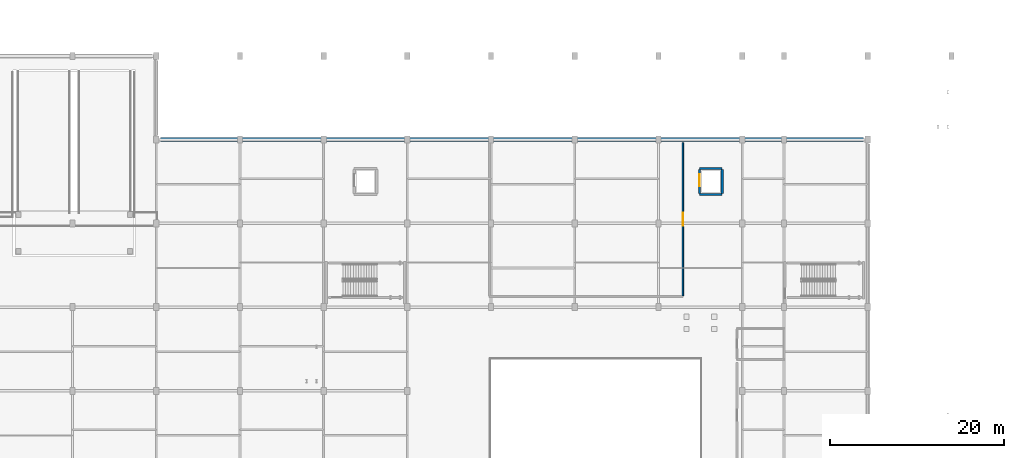
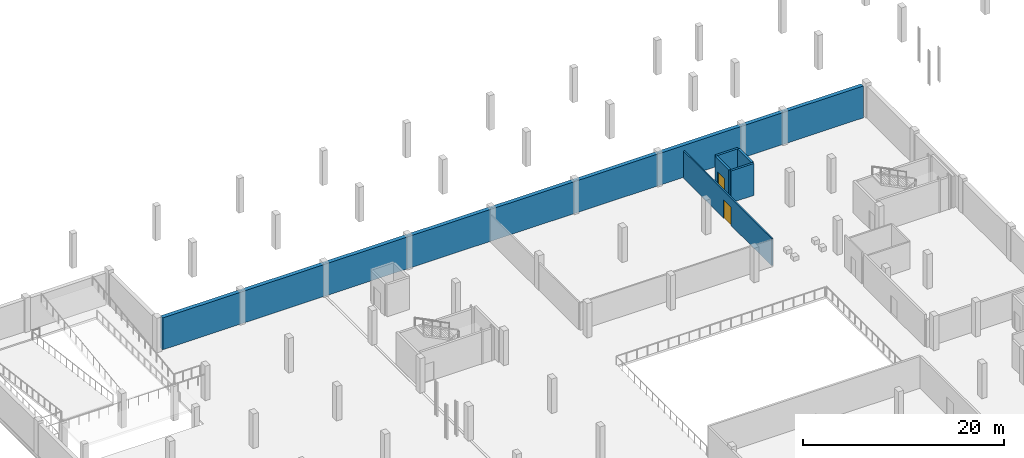
# One storey, part 35 of 47: 6 walls, 2 doors, 2 openings.
"""IFC4 building model written with IfcOpenShell, lengths in metres."""

from ifc_helpers import new_model, si_unit, direction, frame, frame_2d, origin, place, context, subcontext, project, spatial, rectangle, extrude, material, layer, layer_set, type_object, element, fill, save


model = new_model("IFC4")

# Units and contexts
model_context = context("Model", 3, precision=1e-05, world=origin(), true_north=direction((0.0, 1.0)))
body_context = subcontext(model_context, "Body", "Model", "MODEL_VIEW")
ifc_project = project(units=[si_unit("LENGTHUNIT", "METRE"), si_unit("AREAUNIT", "SQUARE_METRE"), si_unit("VOLUMEUNIT", "CUBIC_METRE"), si_unit("PLANEANGLEUNIT", "RADIAN"), si_unit("MASSUNIT", "GRAM", prefix="KILO")], contexts=[model_context])

# Site, building, storey
site_placement = place(None, origin())
site = spatial("IfcSite", under=ifc_project, at=site_placement, CompositionType="ELEMENT")
building_placement = place(site_placement, origin())
building = spatial("IfcBuilding", under=site, at=building_placement, Name="Zevrakil Square Congress Hotel", CompositionType="ELEMENT")
storey_placement = place(building_placement, frame((0.0, 0.0, -4.199951171875)))
storey = spatial("IfcBuildingStorey", under=building, at=storey_placement, Name="B1", CompositionType="ELEMENT", Elevation=-4.199951171875)

# Wall, opening, door
ifc_material_1 = material(Name="Gypsum Acoustic Stud Partition")
ifc_layer_1 = layer(ifc_material_1, 0.159912109375)
ifc_layer_set_1 = layer_set([ifc_layer_1], Name="Gypsum Acoustic Stud Partition")
wall_type_1 = type_object("IfcWallType", Name="WAL-CORR-160", PredefinedType="PARTITIONING", material=ifc_layer_set_1)
wall_1_placement = place(storey_placement, frame((96.39990234375, 85.284912109375, 0.0), z_axis=(0.0, 0.0, 1.0), x_axis=(0.0, 1.0, 0.0)))
wall_1 = element("IfcWall", 1, at=wall_1_placement, inside=storey, type_object=wall_type_1, Name="B1 interior partition PW-B1-0114", PredefinedType="PARTITIONING", context=body_context, shape_type="SweptSolid", body=[
    extrude(rectangle(XDim=17.580078125, YDim=0.159912109375, at=frame_2d((8.7900390625, 0.0))), origin(), (0.0, 0.0, 1.0), 3.324951171875),
])
opening_1_placement = place(wall_1_placement, frame((8.0400390625, 0.0, 0.0)))
opening_1 = element("IfcOpeningElement", 2, at=opening_1_placement, cuts=wall_1, Name="Opening ID-03", PredefinedType="OPENING", context=body_context, shape_type="SweptSolid", body=[
    extrude(rectangle(XDim=1.5, YDim=2.25, at=frame_2d((0.75, 1.125))), frame((0.0, 0.08984375, 0.0), z_axis=(0.0, -1.0, 0.0), x_axis=(1.0, 0.0, 0.0)), (0.0, 0.0, 1.0), 0.179931640625),
])
ifc_material_2 = material(Name="Acoustic Double Meeting Door")
door_type_1 = type_object("IfcDoorType", Name="DOR-MTG-150", OperationType="NOTDEFINED", PredefinedType="DOOR", material=ifc_material_2)
door_1_placement = place(opening_1_placement, origin())
door_1 = element("IfcDoor", 3, at=door_1_placement, inside=storey, type_object=door_type_1, Name="B1 interior door 40", OperationType="DOUBLE_DOOR_SINGLE_SWING", OverallHeight=2.25, OverallWidth=1.5, PredefinedType="DOOR", context=body_context, shape_type="SweptSolid", body=[
    extrude(rectangle(XDim=1.5, YDim=2.25, at=frame_2d((0.75, 1.125))), frame((0.0, 0.02490234375, 0.0), z_axis=(0.0, -1.0, 0.0), x_axis=(1.0, 0.0, 0.0)), (0.0, 0.0, 1.0), 0.050048828125),
])
fill(opening_1, door_1)

# Walls
ifc_material_3 = material(Name="Concrete C40/50", Category="concrete")
ifc_layer_2 = layer(ifc_material_3, 0.449951171875)
ifc_layer_set_2 = layer_set([ifc_layer_2], Name="Concrete C40/50")
wall_type_2 = type_object("IfcWallType", Name="WAL-RET-450", PredefinedType="SOLIDWALL", material=ifc_layer_set_2)
wall_2_placement = place(storey_placement, frame((117.10009765625, 103.199951171875, 0.0), z_axis=(0.0, 0.0, 1.0), x_axis=(-1.0, 0.0, 0.0)))
element("IfcWall", 4, at=wall_2_placement, inside=storey, type_object=wall_type_2, Name="B1 perimeter concrete retaining wall 5", PredefinedType="SOLIDWALL", context=body_context, shape_type="SweptSolid", body=[
    extrude(rectangle(XDim=80.60009765625, YDim=0.449951171875, at=frame_2d((40.300048828125, 0.0))), origin(), (0.0, 0.0, 1.0), 3.8798828125),
])
ifc_material_4 = material(Name="Concrete C40/50", Category="concrete")
ifc_layer_3 = layer(ifc_material_4, 0.260009765625)
ifc_layer_set_3 = layer_set([ifc_layer_3], Name="Concrete C40/50")
wall_type_3 = type_object("IfcWallType", Name="WAL-SHAFT-260", PredefinedType="SHEAR", material=ifc_layer_set_3)
for number, where, z_axis, x_axis, name in (
    (5, (98.300048828125, 96.89990234375, 0.0), (0.0, 0.0, 1.0), (1.0, 0.0, 0.0), "B1 SL3 lift shaft wall"),
    (6, (98.300048828125, 99.89990234375, 0.0), (0.0, 0.0, 1.0), (1.0, 0.0, 0.0), "B1 SL3 lift shaft wall"),
):
    element("IfcWall", number, at=place(storey_placement, frame(where, z_axis=z_axis, x_axis=x_axis)), inside=storey, type_object=wall_type_3, Name=name, PredefinedType="SHEAR", context=body_context, shape_type="SweptSolid", body=[
        extrude(rectangle(XDim=2.599853515625, YDim=0.260009765625, at=frame_2d((1.2998046875, 0.0))), origin(), (0.0, 0.0, 1.0), 3.8798828125),
    ])

# Wall, opening, door
wall_3_placement = place(storey_placement, frame((98.300048828125, 97.0400390625, 0.0), z_axis=(0.0, 0.0, 1.0), x_axis=(0.0, 1.0, 0.0)))
wall_3 = element("IfcWall", 7, at=wall_3_placement, inside=storey, type_object=wall_type_3, Name="B1 SL3 lift shaft wall", PredefinedType="SHEAR", context=body_context, shape_type="SweptSolid", body=[
    extrude(rectangle(XDim=2.719970703125, YDim=0.260009765625, at=frame_2d((1.35986328125, 0.0))), origin(), (0.0, 0.0, 1.0), 3.8798828125),
])
opening_2_placement = place(wall_3_placement, frame((0.800048828125, 0.0, 0.0)))
opening_2 = element("IfcOpeningElement", 8, at=opening_2_placement, cuts=wall_3, Name="Opening LD-SL3", PredefinedType="OPENING", context=body_context, shape_type="SweptSolid", body=[
    extrude(rectangle(XDim=1.39990234375, YDim=2.300048828125, at=frame_2d((0.699951171875, 1.14990234375))), frame((0.0, 0.14013671875, 0.0), z_axis=(0.0, -1.0, 0.0), x_axis=(1.0, 0.0, 0.0)), (0.0, 0.0, 1.0), 0.280029296875),
])
ifc_material_5 = material(Name="Goods Service Sliding Landing Door")
door_type_2 = type_object("IfcDoorType", Name="DOR-LIFT-LD140", OperationType="NOTDEFINED", PredefinedType="DOOR", material=ifc_material_5)
door_2_placement = place(opening_2_placement, origin())
door_2 = element("IfcDoor", 9, at=door_2_placement, inside=storey, type_object=door_type_2, Name="B1 SL3 sliding lift landing door", OperationType="SLIDING_TO_LEFT", OverallHeight=2.300048828125, OverallWidth=1.39990234375, PredefinedType="DOOR", context=body_context, shape_type="SweptSolid", body=[
    extrude(rectangle(XDim=1.39990234375, YDim=2.300048828125, at=frame_2d((0.699951171875, 1.14990234375))), frame((0.0, 0.02490234375, 0.0), z_axis=(0.0, -1.0, 0.0), x_axis=(1.0, 0.0, 0.0)), (0.0, 0.0, 1.0), 0.050048828125),
])
fill(opening_2, door_2)

# Wall
wall_4_placement = place(storey_placement, frame((100.89990234375, 97.0400390625, 0.0), z_axis=(0.0, 0.0, 1.0), x_axis=(0.0, 1.0, 0.0)))
element("IfcWall", 10, at=wall_4_placement, inside=storey, type_object=wall_type_3, Name="B1 SL3 lift shaft wall", PredefinedType="SHEAR", context=body_context, shape_type="SweptSolid", body=[
    extrude(rectangle(XDim=2.719970703125, YDim=0.260009765625, at=frame_2d((1.35986328125, 0.0))), origin(), (0.0, 0.0, 1.0), 3.8798828125),
])

save(model, "model.ifc")
